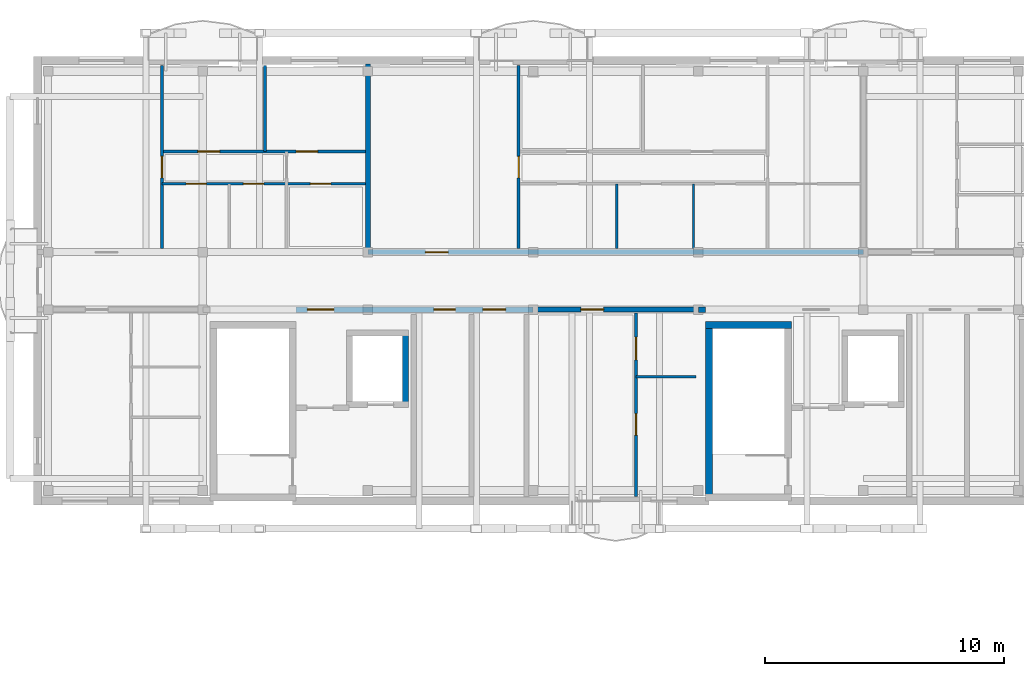
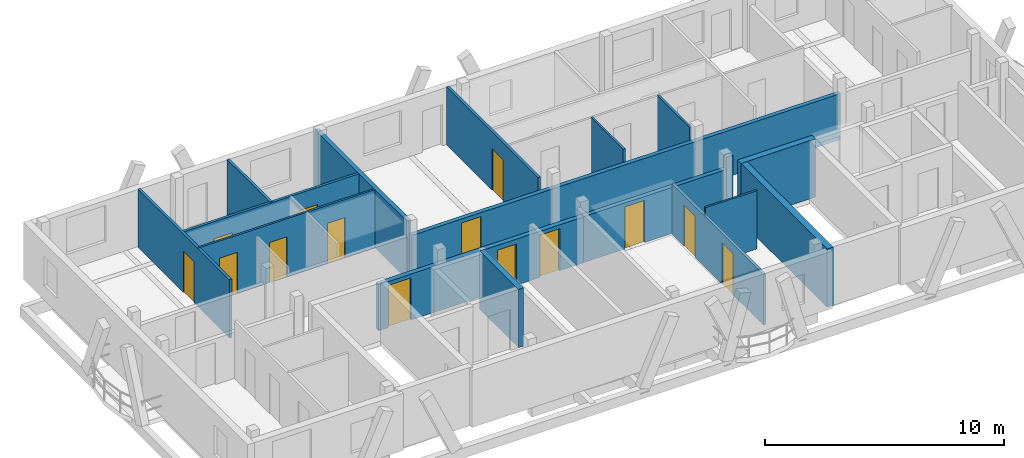
# One storey, part 11 of 18: 17 walls, 14 doors, 14 openings.
"""IFC4 building model written with IfcOpenShell, lengths in metres."""

from ifc_helpers import new_model, si_unit, direction, frame, frame_2d, origin, origin_with_axes, place, context, subcontext, project, spatial, rectangle, extrude, material, layer, layer_set, type_object, element, fill, save


model = new_model("IFC4")

# Units and contexts
model_context = context("Model", 3, precision=1e-05, world=origin(), true_north=direction((0.0, 1.0)))
body_context = subcontext(model_context, "Body", "Model", "MODEL_VIEW")
ifc_project = project(units=[si_unit("LENGTHUNIT", "METRE"), si_unit("AREAUNIT", "SQUARE_METRE"), si_unit("VOLUMEUNIT", "CUBIC_METRE"), si_unit("PLANEANGLEUNIT", "RADIAN"), si_unit("MASSUNIT", "GRAM", prefix="KILO")], contexts=[model_context])

# Site, building, storey
site_placement = place(None, origin())
site = spatial("IfcSite", under=ifc_project, at=site_placement, CompositionType="ELEMENT")
building_placement = place(site_placement, origin())
building = spatial("IfcBuilding", under=site, at=building_placement, Name="Zavelmont Quarter", CompositionType="ELEMENT")
storey_placement = place(building_placement, frame((0.0, 0.0, 40.0)))
storey = spatial("IfcBuildingStorey", under=building, at=storey_placement, Name="L12", CompositionType="ELEMENT", Elevation=40.0)

# Wall
ifc_material_1 = material(Name="Calcium-silicate blockwork and acoustic plaster", Category="masonry")
ifc_layer_1 = layer(ifc_material_1, 0.199951171875)
ifc_layer_set_1 = layer_set([ifc_layer_1], Name="Calcium-silicate blockwork and acoustic plaster")
wall_type_1 = type_object("IfcWallType", Name="IW01", PredefinedType="PARTITIONING", material=ifc_layer_set_1)
wall_1_placement = place(storey_placement, frame((13.800048828125, 108.14990234375, 0.0), z_axis=(0.0, 0.0, 1.0), x_axis=(0.0, 1.0, 0.0)))
element("IfcWall", 1, at=wall_1_placement, inside=storey, type_object=wall_type_1, Name="L12 Inter-dwelling compartment wall IW01", PredefinedType="PARTITIONING", context=body_context, shape_type="SweptSolid", body=[
    extrude(rectangle(XDim=7.7001953125, YDim=0.199951171875, at=frame_2d((3.85009765625, 0.0))), origin(), (0.0, 0.0, 1.0), 2.969970703125),
])

# Wall, opening, door
wall_2_placement = place(storey_placement, frame((13.800048828125, 108.0, 0.0), z_axis=(0.0, 0.0, 1.0), x_axis=(1.0, 0.0, 0.0)))
wall_2 = element("IfcWall", 2, at=wall_2_placement, inside=storey, type_object=wall_type_1, Name="L12 Corridor compartment wall IW01", PredefinedType="PARTITIONING", context=body_context, shape_type="SweptSolid", body=[
    extrude(rectangle(XDim=20.699951171875, YDim=0.199951171875, at=frame_2d((10.35009765625, 0.0))), origin(), (0.0, 0.0, 1.0), 2.35009765625),
])
opening_1_placement = place(wall_2_placement, frame((2.39990234375, 0.0, 0.0)))
opening_1 = element("IfcOpeningElement", 3, at=opening_1_placement, cuts=wall_2, Name="Opening DR02", PredefinedType="OPENING", context=body_context, shape_type="SweptSolid", body=[
    extrude(rectangle(XDim=0.949951171875, YDim=2.14990234375, at=frame_2d((0.47509765625, 1.074951171875))), frame((0.0, 0.11181640625, 0.0), z_axis=(0.0, -1.0, 0.0), x_axis=(1.0, 0.0, 0.0)), (0.0, 0.0, 1.0), 0.223876953125),
])
ifc_material_2 = material(Name="Solid-core oak fire leaf in steel frame", Category="steel")
door_type_1 = type_object("IfcDoorType", Name="DR02", OperationType="NOTDEFINED", PredefinedType="DOOR", material=ifc_material_2)
door_1_placement = place(opening_1_placement, origin_with_axes())
door_1 = element("IfcDoor", 4, at=door_1_placement, inside=storey, type_object=door_type_1, Name="L12 door DR02", OperationType="SINGLE_SWING_LEFT", OverallHeight=2.14990234375, OverallWidth=0.949951171875, PredefinedType="DOOR", context=body_context, shape_type="SweptSolid", body=[
    extrude(rectangle(XDim=0.949951171875, YDim=2.14990234375, at=frame_2d((0.47509765625, 1.074951171875))), frame((0.0, 0.02490234375, 0.0), z_axis=(0.0, -1.0, 0.0), x_axis=(1.0, 0.0, 0.0)), (0.0, 0.0, 1.0), 0.050048828125),
])
fill(opening_1, door_1)

wall_3_placement = place(storey_placement, frame((20.699951171875, 105.60009765625, 0.0), z_axis=(0.0, 0.0, 1.0), x_axis=(1.0, 0.0, 0.0)))
wall_3 = element("IfcWall", 5, at=wall_3_placement, inside=storey, type_object=wall_type_1, Name="L12 Corridor compartment wall IW01", PredefinedType="PARTITIONING", context=body_context, shape_type="SweptSolid", body=[
    extrude(rectangle(XDim=6.900146484375, YDim=0.199951171875, at=frame_2d((3.4501953125, 0.0))), origin(), (0.0, 0.0, 1.0), 2.35009765625),
])
opening_2_placement = place(wall_3_placement, frame((2.0, 0.0, 0.0)))
opening_2 = element("IfcOpeningElement", 6, at=opening_2_placement, cuts=wall_3, Name="Opening DR02", PredefinedType="OPENING", context=body_context, shape_type="SweptSolid", body=[
    extrude(rectangle(XDim=0.949951171875, YDim=2.14990234375, at=frame_2d((0.47509765625, 1.074951171875))), frame((0.0, 0.11181640625, 0.0), z_axis=(0.0, -1.0, 0.0), x_axis=(1.0, 0.0, 0.0)), (0.0, 0.0, 1.0), 0.223876953125),
])
door_2_placement = place(opening_2_placement, frame((0.949951171875, 0.0, 0.0), z_axis=(0.0, 0.0, 1.0), x_axis=(-1.0, 0.0, 0.0)))
door_2 = element("IfcDoor", 7, at=door_2_placement, inside=storey, type_object=door_type_1, Name="L12 door DR02", OperationType="SINGLE_SWING_LEFT", OverallHeight=2.14990234375, OverallWidth=0.949951171875, PredefinedType="DOOR", context=body_context, shape_type="SweptSolid", body=[
    extrude(rectangle(XDim=0.949951171875, YDim=2.14990234375, at=frame_2d((0.47509765625, 1.074951171875))), frame((0.0, 0.02490234375, 0.0), z_axis=(0.0, -1.0, 0.0), x_axis=(1.0, 0.0, 0.0)), (0.0, 0.0, 1.0), 0.050048828125),
])
fill(opening_2, door_2)

# Wall, openings, doors
ifc_material_3 = material(Name="Reinforced masonry fire compartment wall", Category="masonry")
ifc_layer_2 = layer(ifc_material_3, 0.22509765625)
ifc_layer_set_2 = layer_set([ifc_layer_2], Name="Reinforced masonry fire compartment wall")
wall_type_2 = type_object("IfcWallType", Name="IW02", PredefinedType="PARTITIONING", material=ifc_layer_set_2)
wall_4_placement = place(storey_placement, frame((10.800048828125, 105.60009765625, 0.0), z_axis=(0.0, 0.0, 1.0), x_axis=(1.0, 0.0, 0.0)))
wall_4 = element("IfcWall", 8, at=wall_4_placement, inside=storey, type_object=wall_type_2, Name="L12 Core corridor fire wall IW02", PredefinedType="PARTITIONING", context=body_context, shape_type="SweptSolid", body=[
    extrude(rectangle(XDim=9.89990234375, YDim=0.22509765625, at=frame_2d((4.949951171875, 0.0))), origin(), (0.0, 0.0, 1.0), 2.35009765625),
])
opening_3_placement = place(wall_4_placement, frame((0.47509765625, 0.0, 0.0)))
opening_3 = element("IfcOpeningElement", 9, at=opening_3_placement, cuts=wall_4, Name="Opening DR10", PredefinedType="OPENING", context=body_context, shape_type="SweptSolid", body=[
    extrude(rectangle(XDim=1.10009765625, YDim=2.14990234375, at=frame_2d((0.550048828125, 1.074951171875))), frame((0.0, 0.12451171875, 0.0), z_axis=(0.0, -1.0, 0.0), x_axis=(1.0, 0.0, 0.0)), (0.0, 0.0, 1.0), 0.2490234375),
])
opening_4_placement = place(wall_4_placement, frame((5.75, 0.0, 0.0)))
opening_4 = element("IfcOpeningElement", 10, at=opening_4_placement, cuts=wall_4, Name="Opening DR11", PredefinedType="OPENING", context=body_context, shape_type="SweptSolid", body=[
    extrude(rectangle(XDim=0.89990234375, YDim=2.10009765625, at=frame_2d((0.449951171875, 1.050048828125))), frame((0.0, 0.12451171875, 0.0), z_axis=(0.0, -1.0, 0.0), x_axis=(1.0, 0.0, 0.0)), (0.0, 0.0, 1.0), 0.2490234375),
])
opening_5_placement = place(wall_4_placement, frame((7.800048828125, 0.0, 0.0)))
opening_5 = element("IfcOpeningElement", 11, at=opening_5_placement, cuts=wall_4, Name="Opening DR02", PredefinedType="OPENING", context=body_context, shape_type="SweptSolid", body=[
    extrude(rectangle(XDim=0.949951171875, YDim=2.14990234375, at=frame_2d((0.47509765625, 1.074951171875))), frame((0.0, 0.12451171875, 0.0), z_axis=(0.0, -1.0, 0.0), x_axis=(1.0, 0.0, 0.0)), (0.0, 0.0, 1.0), 0.2490234375),
])
door_3_placement = place(opening_5_placement, origin_with_axes())
door_3 = element("IfcDoor", 12, at=door_3_placement, inside=storey, type_object=door_type_1, Name="Auxiliary store corridor door", OperationType="SINGLE_SWING_RIGHT", OverallHeight=2.14990234375, OverallWidth=0.949951171875, PredefinedType="DOOR", context=body_context, shape_type="SweptSolid", body=[
    extrude(rectangle(XDim=0.949951171875, YDim=2.14990234375, at=frame_2d((0.47509765625, 1.074951171875))), frame((0.0, 0.02490234375, 0.0), z_axis=(0.0, -1.0, 0.0), x_axis=(1.0, 0.0, 0.0)), (0.0, 0.0, 1.0), 0.050048828125),
])
fill(opening_5, door_3)
ifc_material_4 = material(Name="Painted steel lobby fire door", Category="steel")
door_type_2 = type_object("IfcDoorType", Name="DR10", OperationType="NOTDEFINED", PredefinedType="DOOR", material=ifc_material_4)
door_4_placement = place(opening_3_placement, frame((1.10009765625, 0.0, 0.0), z_axis=(0.0, 0.0, 1.0), x_axis=(-1.0, 0.0, 0.0)))
door_4 = element("IfcDoor", 13, at=door_4_placement, inside=storey, type_object=door_type_2, Name="Core vestibule fire door", OperationType="SINGLE_SWING_LEFT", OverallHeight=2.14990234375, OverallWidth=1.10009765625, PredefinedType="DOOR", context=body_context, shape_type="SweptSolid", body=[
    extrude(rectangle(XDim=1.10009765625, YDim=2.14990234375, at=frame_2d((0.550048828125, 1.074951171875))), frame((0.0, 0.02490234375, 0.0), z_axis=(0.0, -1.0, 0.0), x_axis=(1.0, 0.0, 0.0)), (0.0, 0.0, 1.0), 0.050048828125),
])
fill(opening_3, door_4)
ifc_material_5 = material(Name="Painted steel service-riser fire door", Category="steel")
door_type_3 = type_object("IfcDoorType", Name="DR11", OperationType="NOTDEFINED", PredefinedType="DOOR", material=ifc_material_5)
door_5_placement = place(opening_4_placement, origin_with_axes())
door_5 = element("IfcDoor", 14, at=door_5_placement, inside=storey, type_object=door_type_3, Name="Service riser fire door", OperationType="SINGLE_SWING_LEFT", OverallHeight=2.10009765625, OverallWidth=0.89990234375, PredefinedType="DOOR", context=body_context, shape_type="SweptSolid", body=[
    extrude(rectangle(XDim=0.89990234375, YDim=2.10009765625, at=frame_2d((0.449951171875, 1.050048828125))), frame((0.0, 0.02490234375, 0.0), z_axis=(0.0, -1.0, 0.0), x_axis=(1.0, 0.0, 0.0)), (0.0, 0.0, 1.0), 0.050048828125),
])
fill(opening_4, door_5)

# Wall
wall_5_placement = place(storey_placement, frame((27.60009765625, 105.60009765625, 0.0), z_axis=(0.0, 0.0, 1.0), x_axis=(1.0, 0.0, 0.0)))
element("IfcWall", 15, at=wall_5_placement, inside=storey, type_object=wall_type_2, Name="L12 Core corridor wall IW02", PredefinedType="PARTITIONING", context=body_context, shape_type="SweptSolid", body=[
    extrude(rectangle(XDim=0.2998046875, YDim=0.22509765625, at=frame_2d((0.14990234375, 0.0))), origin(), (0.0, 0.0, 1.0), 2.969970703125),
])

# Wall, opening, door
ifc_material_6 = material(Name="Double gypsum board on acoustic steel stud", Category="steel")
ifc_layer_3 = layer(ifc_material_6, 0.125)
ifc_layer_set_3 = layer_set([ifc_layer_3], Name="Double gypsum board on acoustic steel stud")
wall_type_3 = type_object("IfcWallType", Name="IW03", PredefinedType="PARTITIONING", material=ifc_layer_set_3)
wall_6_placement = place(storey_placement, frame((5.199951171875, 108.14990234375, 0.0), z_axis=(0.0, 0.0, 1.0), x_axis=(0.0, 1.0, 0.0)))
wall_6 = element("IfcWall", 16, at=wall_6_placement, inside=storey, type_object=wall_type_3, Name="L12 Partition IW03", PredefinedType="PARTITIONING", context=body_context, shape_type="SweptSolid", body=[
    extrude(rectangle(XDim=7.650146484375, YDim=0.125, at=frame_2d((3.8251953125, 0.0))), origin(), (0.0, 0.0, 1.0), 2.969970703125),
])
opening_6_placement = place(wall_6_placement, frame((2.949951171875, 0.0, 0.0)))
opening_6 = element("IfcOpeningElement", 17, at=opening_6_placement, cuts=wall_6, Name="Opening DR05", PredefinedType="OPENING", context=body_context, shape_type="SweptSolid", body=[
    extrude(rectangle(XDim=0.89990234375, YDim=2.10009765625, at=frame_2d((0.449951171875, 1.050048828125))), frame((0.0, 0.074462890625, 0.0), z_axis=(0.0, -1.0, 0.0), x_axis=(1.0, 0.0, 0.0)), (0.0, 0.0, 1.0), 0.14892578125),
])
ifc_material_7 = material(Name="Engineered oak flush interior door")
door_type_4 = type_object("IfcDoorType", Name="DR05", OperationType="NOTDEFINED", PredefinedType="DOOR", material=ifc_material_7)
door_6_placement = place(opening_6_placement, origin_with_axes())
door_6 = element("IfcDoor", 18, at=door_6_placement, inside=storey, type_object=door_type_4, Name="L12 door DR05", OperationType="SINGLE_SWING_RIGHT", OverallHeight=2.10009765625, OverallWidth=0.89990234375, PredefinedType="DOOR", context=body_context, shape_type="SweptSolid", body=[
    extrude(rectangle(XDim=0.89990234375, YDim=2.10009765625, at=frame_2d((0.449951171875, 1.050048828125))), frame((0.0, 0.02490234375, 0.0), z_axis=(0.0, -1.0, 0.0), x_axis=(1.0, 0.0, 0.0)), (0.0, 0.0, 1.0), 0.050048828125),
])
fill(opening_6, door_6)

# Wall
wall_7_placement = place(storey_placement, frame((9.5, 112.199951171875, 0.0), z_axis=(0.0, 0.0, 1.0), x_axis=(0.0, 1.0, 0.0)))
element("IfcWall", 19, at=wall_7_placement, inside=storey, type_object=wall_type_3, Name="L12 Partition IW03", PredefinedType="PARTITIONING", context=body_context, shape_type="SweptSolid", body=[
    extrude(rectangle(XDim=3.60009765625, YDim=0.125, at=frame_2d((1.800048828125, 0.0))), origin(), (0.0, 0.0, 1.0), 2.969970703125),
])

# Wall, openings, doors
wall_8_placement = place(storey_placement, frame((5.199951171875, 112.199951171875, 0.0), z_axis=(0.0, 0.0, 1.0), x_axis=(1.0, 0.0, 0.0)))
wall_8 = element("IfcWall", 20, at=wall_8_placement, inside=storey, type_object=wall_type_3, Name="L12 Partition IW03", PredefinedType="PARTITIONING", context=body_context, shape_type="SweptSolid", body=[
    extrude(rectangle(XDim=8.5, YDim=0.125, at=frame_2d((4.25, 0.0))), origin(), (0.0, 0.0, 1.0), 2.969970703125),
])
opening_7_placement = place(wall_8_placement, frame((1.5, 0.0, 0.0)))
opening_7 = element("IfcOpeningElement", 21, at=opening_7_placement, cuts=wall_8, Name="Opening DR05", PredefinedType="OPENING", context=body_context, shape_type="SweptSolid", body=[
    extrude(rectangle(XDim=0.89990234375, YDim=2.10009765625, at=frame_2d((0.449951171875, 1.050048828125))), frame((0.0, 0.074462890625, 0.0), z_axis=(0.0, -1.0, 0.0), x_axis=(1.0, 0.0, 0.0)), (0.0, 0.0, 1.0), 0.14892578125),
])
opening_8_placement = place(wall_8_placement, frame((5.60009765625, 0.0, 0.0)))
opening_8 = element("IfcOpeningElement", 22, at=opening_8_placement, cuts=wall_8, Name="Opening DR05", PredefinedType="OPENING", context=body_context, shape_type="SweptSolid", body=[
    extrude(rectangle(XDim=0.89990234375, YDim=2.10009765625, at=frame_2d((0.449951171875, 1.050048828125))), frame((0.0, 0.074462890625, 0.0), z_axis=(0.0, -1.0, 0.0), x_axis=(1.0, 0.0, 0.0)), (0.0, 0.0, 1.0), 0.14892578125),
])
door_7_placement = place(opening_7_placement, frame((0.89990234375, 0.0, 0.0), z_axis=(0.0, 0.0, 1.0), x_axis=(-1.0, 0.0, 0.0)))
door_7 = element("IfcDoor", 23, at=door_7_placement, inside=storey, type_object=door_type_4, Name="L12 door DR05", OperationType="SINGLE_SWING_LEFT", OverallHeight=2.10009765625, OverallWidth=0.89990234375, PredefinedType="DOOR", context=body_context, shape_type="SweptSolid", body=[
    extrude(rectangle(XDim=0.89990234375, YDim=2.10009765625, at=frame_2d((0.449951171875, 1.050048828125))), frame((0.0, 0.02490234375, 0.0), z_axis=(0.0, -1.0, 0.0), x_axis=(1.0, 0.0, 0.0)), (0.0, 0.0, 1.0), 0.050048828125),
])
fill(opening_7, door_7)
door_8_placement = place(opening_8_placement, origin_with_axes())
door_8 = element("IfcDoor", 24, at=door_8_placement, inside=storey, type_object=door_type_4, Name="L12 door DR05", OperationType="SINGLE_SWING_RIGHT", OverallHeight=2.10009765625, OverallWidth=0.89990234375, PredefinedType="DOOR", context=body_context, shape_type="SweptSolid", body=[
    extrude(rectangle(XDim=0.89990234375, YDim=2.10009765625, at=frame_2d((0.449951171875, 1.050048828125))), frame((0.0, 0.02490234375, 0.0), z_axis=(0.0, -1.0, 0.0), x_axis=(1.0, 0.0, 0.0)), (0.0, 0.0, 1.0), 0.050048828125),
])
fill(opening_8, door_8)

# Wall, opening, door
wall_9_placement = place(storey_placement, frame((20.10009765625, 108.14990234375, 0.0), z_axis=(0.0, 0.0, 1.0), x_axis=(0.0, 1.0, 0.0)))
wall_9 = element("IfcWall", 25, at=wall_9_placement, inside=storey, type_object=wall_type_3, Name="L12 Partition IW03", PredefinedType="PARTITIONING", context=body_context, shape_type="SweptSolid", body=[
    extrude(rectangle(XDim=7.650146484375, YDim=0.125, at=frame_2d((3.8251953125, 0.0))), origin(), (0.0, 0.0, 1.0), 2.969970703125),
])
opening_9_placement = place(wall_9_placement, frame((2.949951171875, 0.0, 0.0)))
opening_9 = element("IfcOpeningElement", 26, at=opening_9_placement, cuts=wall_9, Name="Opening DR05", PredefinedType="OPENING", context=body_context, shape_type="SweptSolid", body=[
    extrude(rectangle(XDim=0.89990234375, YDim=2.10009765625, at=frame_2d((0.449951171875, 1.050048828125))), frame((0.0, 0.074462890625, 0.0), z_axis=(0.0, -1.0, 0.0), x_axis=(1.0, 0.0, 0.0)), (0.0, 0.0, 1.0), 0.14892578125),
])
door_9_placement = place(opening_9_placement, origin_with_axes())
door_9 = element("IfcDoor", 27, at=door_9_placement, inside=storey, type_object=door_type_4, Name="L12 door DR05", OperationType="SINGLE_SWING_LEFT", OverallHeight=2.10009765625, OverallWidth=0.89990234375, PredefinedType="DOOR", context=body_context, shape_type="SweptSolid", body=[
    extrude(rectangle(XDim=0.89990234375, YDim=2.10009765625, at=frame_2d((0.449951171875, 1.050048828125))), frame((0.0, 0.02490234375, 0.0), z_axis=(0.0, -1.0, 0.0), x_axis=(1.0, 0.0, 0.0)), (0.0, 0.0, 1.0), 0.050048828125),
])
fill(opening_9, door_9)

# Wall, openings, doors
wall_10_placement = place(storey_placement, frame((25.0, 105.449951171875, 0.0), z_axis=(0.0, 0.0, 1.0), x_axis=(0.0, -1.0, 0.0)))
wall_10 = element("IfcWall", 28, at=wall_10_placement, inside=storey, type_object=wall_type_3, Name="L12 Partition IW03", PredefinedType="PARTITIONING", context=body_context, shape_type="SweptSolid", body=[
    extrude(rectangle(XDim=7.64990234375, YDim=0.125, at=frame_2d((3.824951171875, 0.0))), origin(), (0.0, 0.0, 1.0), 2.590087890625),
])
opening_10_placement = place(wall_10_placement, frame((1.0, 0.0, 0.0)))
opening_10 = element("IfcOpeningElement", 29, at=opening_10_placement, cuts=wall_10, Name="Opening DR17", PredefinedType="OPENING", context=body_context, shape_type="SweptSolid", body=[
    extrude(rectangle(XDim=0.949951171875, YDim=2.10009765625, at=frame_2d((0.47509765625, 1.050048828125))), frame((0.0, 0.074462890625, 0.0), z_axis=(0.0, -1.0, 0.0), x_axis=(1.0, 0.0, 0.0)), (0.0, 0.0, 1.0), 0.14892578125),
])
opening_11_placement = place(wall_10_placement, frame((4.199951171875, 0.0, 0.0)))
opening_11 = element("IfcOpeningElement", 30, at=opening_11_placement, cuts=wall_10, Name="Opening DR05", PredefinedType="OPENING", context=body_context, shape_type="SweptSolid", body=[
    extrude(rectangle(XDim=0.89990234375, YDim=2.10009765625, at=frame_2d((0.449951171875, 1.050048828125))), frame((0.0, 0.074462890625, 0.0), z_axis=(0.0, -1.0, 0.0), x_axis=(1.0, 0.0, 0.0)), (0.0, 0.0, 1.0), 0.14892578125),
])
door_10_placement = place(opening_11_placement, origin_with_axes())
door_10 = element("IfcDoor", 31, at=door_10_placement, inside=storey, type_object=door_type_4, Name="L12 door DR05", OperationType="SINGLE_SWING_RIGHT", OverallHeight=2.10009765625, OverallWidth=0.89990234375, PredefinedType="DOOR", context=body_context, shape_type="SweptSolid", body=[
    extrude(rectangle(XDim=0.89990234375, YDim=2.10009765625, at=frame_2d((0.449951171875, 1.050048828125))), frame((0.0, 0.02490234375, 0.0), z_axis=(0.0, -1.0, 0.0), x_axis=(1.0, 0.0, 0.0)), (0.0, 0.0, 1.0), 0.050048828125),
])
fill(opening_11, door_10)
ifc_material_8 = material(Name="Accessible washroom flush door")
door_type_5 = type_object("IfcDoorType", Name="DR17", OperationType="NOTDEFINED", PredefinedType="DOOR", material=ifc_material_8)
door_11_placement = place(opening_10_placement, frame((0.949951171875, 0.0, 0.0), z_axis=(0.0, 0.0, 1.0), x_axis=(-1.0, 0.0, 0.0)))
door_11 = element("IfcDoor", 32, at=door_11_placement, inside=storey, type_object=door_type_5, Name="L12 door DR17", OperationType="SINGLE_SWING_LEFT", OverallHeight=2.10009765625, OverallWidth=0.949951171875, PredefinedType="DOOR", context=body_context, shape_type="SweptSolid", body=[
    extrude(rectangle(XDim=0.949951171875, YDim=2.10009765625, at=frame_2d((0.47509765625, 1.050048828125))), frame((0.0, 0.02490234375, 0.0), z_axis=(0.0, -1.0, 0.0), x_axis=(1.0, 0.0, 0.0)), (0.0, 0.0, 1.0), 0.050048828125),
])
fill(opening_10, door_11)

ifc_material_9 = material(Name="Moisture-resistant gypsum board on steel stud", Category="steel")
ifc_layer_4 = layer(ifc_material_9, 0.10009765625)
ifc_layer_set_4 = layer_set([ifc_layer_4], Name="Moisture-resistant gypsum board on steel stud")
wall_type_4 = type_object("IfcWallType", Name="IW04", PredefinedType="PARTITIONING", material=ifc_layer_set_4)
wall_11_placement = place(storey_placement, frame((5.199951171875, 110.85009765625, 0.0), z_axis=(0.0, 0.0, 1.0), x_axis=(1.0, 0.0, 0.0)))
wall_11 = element("IfcWall", 33, at=wall_11_placement, inside=storey, type_object=wall_type_4, Name="L12 Partition IW04", PredefinedType="PARTITIONING", context=body_context, shape_type="SweptSolid", body=[
    extrude(rectangle(XDim=8.5, YDim=0.10009765625, at=frame_2d((4.25, 0.0))), origin(), (0.0, 0.0, 1.0), 2.969970703125),
])
opening_12_placement = place(wall_11_placement, frame((1.0, 0.0, 0.0)))
opening_12 = element("IfcOpeningElement", 34, at=opening_12_placement, cuts=wall_11, Name="Opening DR16", PredefinedType="OPENING", context=body_context, shape_type="SweptSolid", body=[
    extrude(rectangle(XDim=0.85009765625, YDim=2.10009765625, at=frame_2d((0.425048828125, 1.050048828125))), frame((0.0, 0.06201171875, 0.0), z_axis=(0.0, -1.0, 0.0), x_axis=(1.0, 0.0, 0.0)), (0.0, 0.0, 1.0), 0.1240234375),
])
opening_13_placement = place(wall_11_placement, frame((3.39990234375, 0.0, 0.0)))
opening_13 = element("IfcOpeningElement", 35, at=opening_13_placement, cuts=wall_11, Name="Opening DR06", PredefinedType="OPENING", context=body_context, shape_type="SweptSolid", body=[
    extrude(rectangle(XDim=0.85009765625, YDim=2.050048828125, at=frame_2d((0.425048828125, 1.02490234375))), frame((0.0, 0.06201171875, 0.0), z_axis=(0.0, -1.0, 0.0), x_axis=(1.0, 0.0, 0.0)), (0.0, 0.0, 1.0), 0.1240234375),
])
opening_14_placement = place(wall_11_placement, frame((6.199951171875, 0.0, 0.0)))
opening_14 = element("IfcOpeningElement", 36, at=opening_14_placement, cuts=wall_11, Name="Opening DR06", PredefinedType="OPENING", context=body_context, shape_type="SweptSolid", body=[
    extrude(rectangle(XDim=0.85009765625, YDim=2.050048828125, at=frame_2d((0.425048828125, 1.02490234375))), frame((0.0, 0.06201171875, 0.0), z_axis=(0.0, -1.0, 0.0), x_axis=(1.0, 0.0, 0.0)), (0.0, 0.0, 1.0), 0.1240234375),
])
ifc_material_10 = material(Name="Moisture-resistant painted wet-room door")
door_type_6 = type_object("IfcDoorType", Name="DR06", OperationType="NOTDEFINED", PredefinedType="DOOR", material=ifc_material_10)
door_12_placement = place(opening_13_placement, frame((0.85009765625, 0.0, 0.0), z_axis=(0.0, 0.0, 1.0), x_axis=(-1.0, 0.0, 0.0)))
door_12 = element("IfcDoor", 37, at=door_12_placement, inside=storey, type_object=door_type_6, Name="L12 door DR06", OperationType="SINGLE_SWING_LEFT", OverallHeight=2.050048828125, OverallWidth=0.85009765625, PredefinedType="DOOR", context=body_context, shape_type="SweptSolid", body=[
    extrude(rectangle(XDim=0.85009765625, YDim=2.050048828125, at=frame_2d((0.425048828125, 1.02490234375))), frame((0.0, 0.02490234375, 0.0), z_axis=(0.0, -1.0, 0.0), x_axis=(1.0, 0.0, 0.0)), (0.0, 0.0, 1.0), 0.050048828125),
])
fill(opening_13, door_12)
door_13_placement = place(opening_14_placement, origin_with_axes())
door_13 = element("IfcDoor", 38, at=door_13_placement, inside=storey, type_object=door_type_6, Name="L12 door DR06", OperationType="SINGLE_SWING_RIGHT", OverallHeight=2.050048828125, OverallWidth=0.85009765625, PredefinedType="DOOR", context=body_context, shape_type="SweptSolid", body=[
    extrude(rectangle(XDim=0.85009765625, YDim=2.050048828125, at=frame_2d((0.425048828125, 1.02490234375))), frame((0.0, 0.02490234375, 0.0), z_axis=(0.0, -1.0, 0.0), x_axis=(1.0, 0.0, 0.0)), (0.0, 0.0, 1.0), 0.050048828125),
])
fill(opening_14, door_13)
door_type_7 = type_object("IfcDoorType", Name="DR16", OperationType="NOTDEFINED", PredefinedType="DOOR", material=ifc_material_7)
door_14_placement = place(opening_12_placement, origin_with_axes())
door_14 = element("IfcDoor", 39, at=door_14_placement, inside=storey, type_object=door_type_7, Name="L12 door DR16", OperationType="SINGLE_SWING_RIGHT", OverallHeight=2.10009765625, OverallWidth=0.85009765625, PredefinedType="DOOR", context=body_context, shape_type="SweptSolid", body=[
    extrude(rectangle(XDim=0.85009765625, YDim=2.10009765625, at=frame_2d((0.425048828125, 1.050048828125))), frame((0.0, 0.02490234375, 0.0), z_axis=(0.0, -1.0, 0.0), x_axis=(1.0, 0.0, 0.0)), (0.0, 0.0, 1.0), 0.050048828125),
])
fill(opening_12, door_14)

# Walls
for number, where, z_axis, x_axis, name in (
    (40, (24.199951171875, 108.14990234375, 0.0), (0.0, 0.0, 1.0), (0.0, 1.0, 0.0), "L12 Partition IW04"),
    (41, (27.39990234375, 108.14990234375, 0.0), (0.0, 0.0, 1.0), (0.0, 1.0, 0.0), "L12 Partition IW04"),
):
    element("IfcWall", number, at=place(storey_placement, frame(where, z_axis=z_axis, x_axis=x_axis)), inside=storey, type_object=wall_type_4, Name=name, PredefinedType="PARTITIONING", context=body_context, shape_type="SweptSolid", body=[
        extrude(rectangle(XDim=2.7001953125, YDim=0.10009765625, at=frame_2d((1.35009765625, 0.0))), origin(), (0.0, 0.0, 1.0), 2.969970703125),
    ])
wall_12_placement = place(storey_placement, frame((25.0, 102.800048828125, 0.0), z_axis=(0.0, 0.0, 1.0), x_axis=(1.0, 0.0, 0.0)))
element("IfcWall", 42, at=wall_12_placement, inside=storey, type_object=wall_type_4, Name="L12 Partition IW04", PredefinedType="PARTITIONING", context=body_context, shape_type="SweptSolid", body=[
    extrude(rectangle(XDim=2.5, YDim=0.10009765625, at=frame_2d((1.25, 0.0))), origin(), (0.0, 0.0, 1.0), 2.969970703125),
])
ifc_material_11 = material(Name="Concrete C40/50", Category="concrete")
ifc_layer_5 = layer(ifc_material_11, 0.300048828125)
ifc_layer_set_5 = layer_set([ifc_layer_5], Name="Concrete C40/50")
wall_type_5 = type_object("IfcWallType", Name="SW01", PredefinedType="SHEAR", material=ifc_layer_set_5)
wall_13_placement = place(storey_placement, frame((27.89990234375, 104.949951171875, 0.0), z_axis=(0.0, 0.0, 1.0), x_axis=(1.0, 0.0, 0.0)))
element("IfcWall", 43, at=wall_13_placement, inside=storey, type_object=wall_type_5, Name="L12 ST04 corridor shear wall SW01", PredefinedType="SHEAR", context=body_context, shape_type="SweptSolid", body=[
    extrude(rectangle(XDim=3.60009765625, YDim=0.300048828125, at=frame_2d((1.800048828125, 0.0))), origin(), (0.0, 0.0, 1.0), 2.969970703125),
])
wall_14_placement = place(storey_placement, frame((28.050048828125, 97.60009765625, 0.0), z_axis=(0.0, 0.0, 1.0), x_axis=(0.0, 1.0, 0.0)))
element("IfcWall", 44, at=wall_14_placement, inside=storey, type_object=wall_type_5, Name="L12 ST04 west shear wall SW01", PredefinedType="SHEAR", context=body_context, shape_type="SweptSolid", body=[
    extrude(rectangle(XDim=7.5, YDim=0.300048828125, at=frame_2d((3.75, 0.0))), origin(), (0.0, 0.0, 1.0), 2.969970703125),
])
ifc_layer_6 = layer(ifc_material_11, 0.25)
ifc_layer_set_6 = layer_set([ifc_layer_6], Name="Concrete C40/50")
wall_type_6 = type_object("IfcWallType", Name="SW02", PredefinedType="SHEAR", material=ifc_layer_set_6)
wall_15_placement = place(storey_placement, frame((15.375, 101.5, 0.0), z_axis=(0.0, 0.0, 1.0), x_axis=(0.0, 1.0, 0.0)))
element("IfcWall", 45, at=wall_15_placement, inside=storey, type_object=wall_type_6, Name="L12 Lift FL02 east shaft wall SW02", PredefinedType="SHEAR", context=body_context, shape_type="SweptSolid", body=[
    extrude(rectangle(XDim=3.25, YDim=0.25, at=frame_2d((1.625, 0.0))), origin(), (0.0, 0.0, 1.0), 2.969970703125),
])

save(model, "model.ifc")
